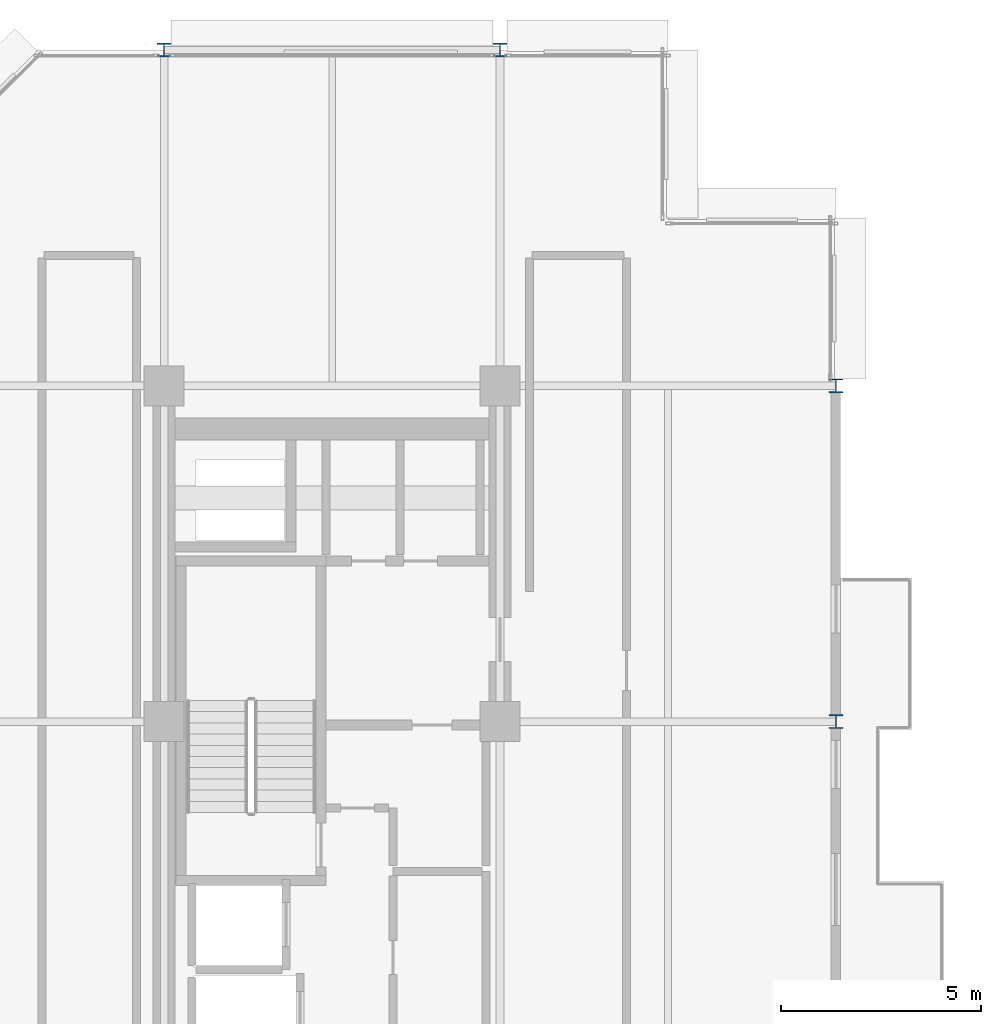
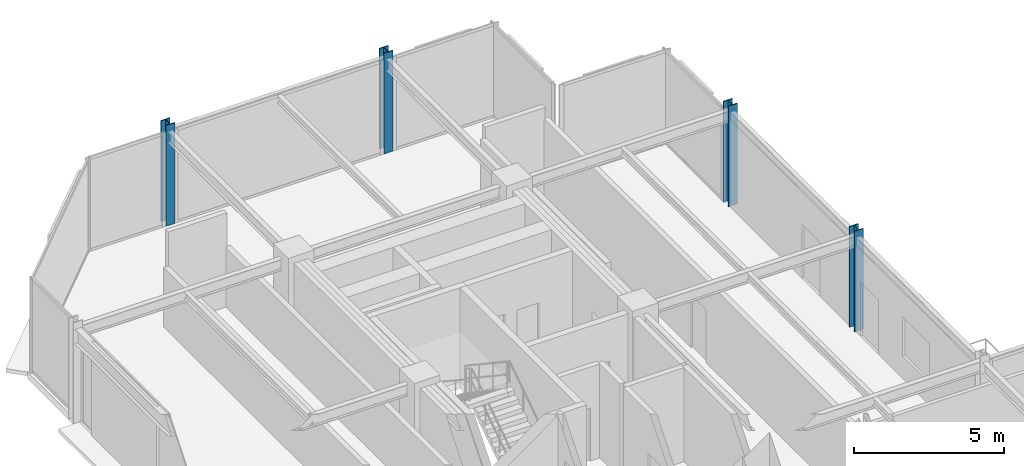
# One storey, part 2 of 30: 4 columns.
"""IFC4 building model written with IfcOpenShell, lengths in metres."""

from ifc_helpers import new_model, si_unit, direction, frame, origin, origin_2d, place, context, subcontext, project, spatial, i_section, extrude, material, material_profile, profile_set, type_object, element, save


model = new_model("IFC4")

# Units and contexts
model_context = context("Model", 3, precision=1e-05, world=origin(), true_north=direction((0.0, 1.0)))
body_context = subcontext(model_context, "Body", "Model", "MODEL_VIEW")
ifc_project = project(units=[si_unit("LENGTHUNIT", "METRE"), si_unit("AREAUNIT", "SQUARE_METRE"), si_unit("VOLUMEUNIT", "CUBIC_METRE"), si_unit("PLANEANGLEUNIT", "RADIAN"), si_unit("MASSUNIT", "GRAM", prefix="KILO")], contexts=[model_context])

# Site, building, storey
site_placement = place(None, origin())
site = spatial("IfcSite", under=ifc_project, at=site_placement, CompositionType="ELEMENT")
building_placement = place(site_placement, origin())
building = spatial("IfcBuilding", under=site, at=building_placement, Name="Nerrivon Quay Data Exchange", CompositionType="ELEMENT")
storey_placement = place(building_placement, frame((0.0, 0.0, 167.300048828125)))
storey = spatial("IfcBuildingStorey", under=building, at=storey_placement, Name="L39", CompositionType="ELEMENT", Elevation=167.300048828125)

# Columns
ifc_material = material(Name="Steel Grade 350", Category="steel")
ifc_material_profile = material_profile(ifc_material, i_section(OverallWidth=0.35009765625, OverallDepth=0.35009765625, WebThickness=0.02001953125, FlangeThickness=0.031982421875, at=origin_2d()), Name="350WC230")
ifc_profile_set = profile_set([ifc_material_profile], Name="Steel Grade 350")
column_type = type_object("IfcColumnType", Name="COL-SC3-350WC", PredefinedType="COLUMN", material=ifc_profile_set)
for number, where, z_axis, x_axis, name in (
    (1, (8.39990234375, 50.39990234375, 0.0), (0.0, 0.0, 1.0), (1.0, 0.0, 0.0), "L39 Column (8.4,50.4)"),
    (2, (16.800048828125, 50.39990234375, 0.0), (0.0, 0.0, 1.0), (1.0, 0.0, 0.0), "L39 Column (16.8,50.4)"),
    (3, (25.199951171875, 33.60009765625, 0.0), (0.0, 0.0, 1.0), (1.0, 0.0, 0.0), "L39 Column (25.2,33.6)"),
    (4, (25.199951171875, 42.0, 0.0), (0.0, 0.0, 1.0), (1.0, 0.0, 0.0), "L39 Column (25.2,42.0)"),
):
    element("IfcColumn", number, at=place(storey_placement, frame(where, z_axis=z_axis, x_axis=x_axis)), inside=storey, type_object=column_type, Name=name, PredefinedType="COLUMN", context=body_context, shape_type="SweptSolid", body=[
        extrude(i_section(OverallWidth=0.35009765625, OverallDepth=0.35009765625, WebThickness=0.02001953125, FlangeThickness=0.031982421875, at=origin_2d()), origin(), (0.0, 0.0, 1.0), 4.099853515625),
    ])

save(model, "model.ifc")
